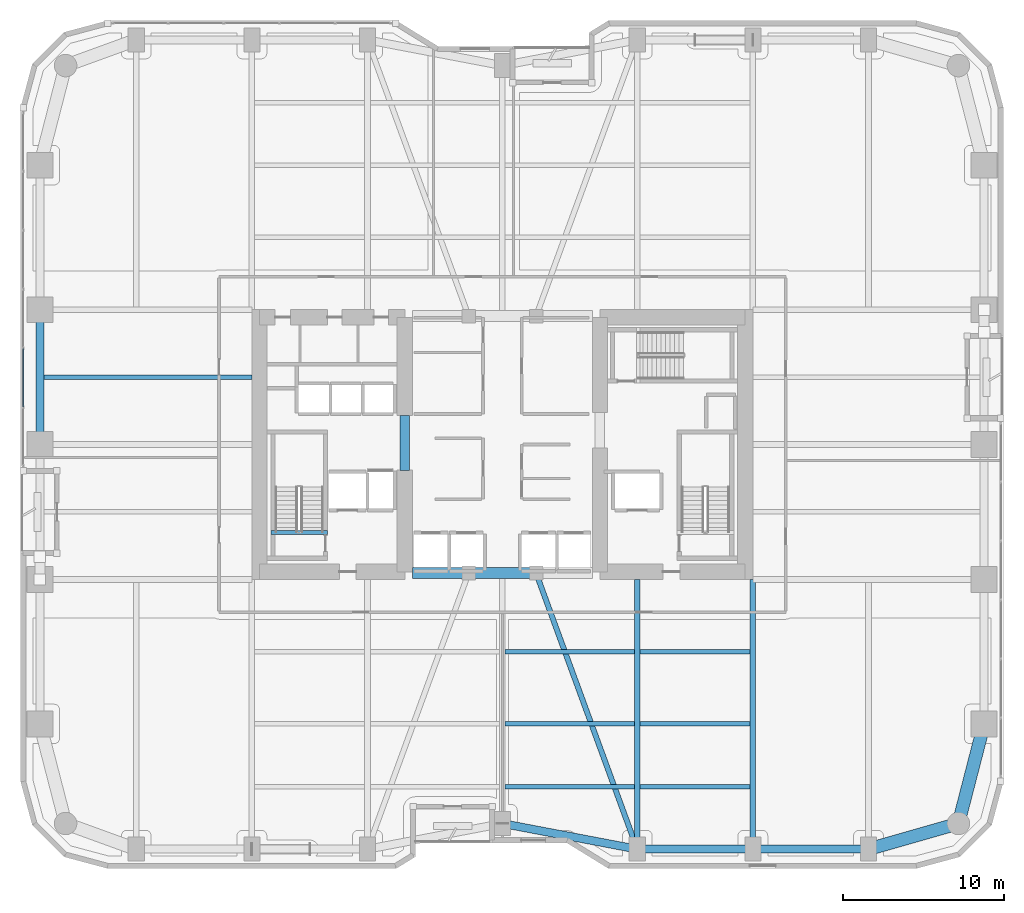
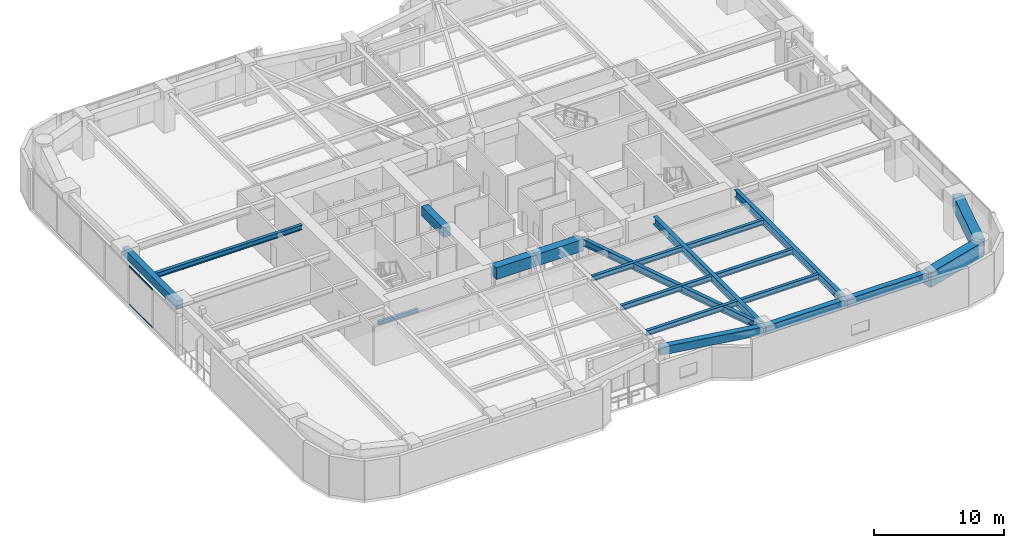
# One storey, part 3 of 29: 20 beams, 2 members, 1 element without a shape of its own.
"""IFC4 building model written with IfcOpenShell, lengths in metres."""

import ifcopenshell
import ifcopenshell.guid

model = None  # the IFC model being written
_history = None  # IfcOwnerHistory: only IFC2X3 demands one
_inside = {}  # id of a spatial element -> (the spatial element, [elements in it])
_under = {}  # id of a project, library or spatial element -> (it, [spatial elements below it])
_declared = {}  # id of a project -> (the project, [libraries it declares])
_typed = {}  # id of a type object -> (the type object, [elements of that type])
_made_of = {}  # id of a material, layer set ... -> (it, [elements and type objects made of it])


def new_model(schema):
    """Start an empty IFC model of exactly this schema.

    Asked for "IFC4X3", IfcOpenShell would pick the latest addendum, in which some entities
    have other attributes; the version numbers below select the first issue.
    IFC2X3 requires an IfcOwnerHistory on every rooted entity: one is made here for all.
    """
    global model, _history
    if schema == "IFC4X3":
        model = ifcopenshell.file(schema_version=(4, 3, 0, 0))
    else:
        model = ifcopenshell.file(schema=schema)
    _inside.clear()
    _under.clear()
    _declared.clear()
    _typed.clear()
    _made_of.clear()
    _history = None
    if model.schema == "IFC2X3":
        org = make("IfcOrganization", Name="unknown")
        user = make(
            "IfcPersonAndOrganization",
            ThePerson=make("IfcPerson", FamilyName="unknown"),
            TheOrganization=org,
        )
        app = make(
            "IfcApplication",
            ApplicationDeveloper=org,
            Version="unknown",
            ApplicationFullName="unknown",
            ApplicationIdentifier="unknown",
        )
        _history = make(
            "IfcOwnerHistory",
            OwningUser=user,
            OwningApplication=app,
            ChangeAction="ADDED",
            CreationDate=0,
        )
    return model


def make(cls, **values):
    """One entity of the class cls with the attributes given. An attribute that is None is left unset."""
    return model.create_entity(
        cls, **{name: value for name, value in values.items() if value is not None}
    )


def rooted(cls, **values):
    """An entity with a GlobalId (a new one), such as an element, a storey or a relation."""
    return make(cls, GlobalId=ifcopenshell.guid.new(), OwnerHistory=_history, **values)


def si_unit(unit_type, name, prefix=None):
    """IfcSIUnit, for example si_unit("LENGTHUNIT", "METRE", prefix="MILLI")."""
    return make("IfcSIUnit", UnitType=unit_type, Prefix=prefix, Name=name)


def assignment(units):
    """IfcUnitAssignment: the units of a project."""
    return None if units is None else make("IfcUnitAssignment", Units=units)


def point(xyz):
    """IfcCartesianPoint."""
    return None if xyz is None else make("IfcCartesianPoint", Coordinates=xyz)


def direction(xyz):
    """IfcDirection."""
    return None if xyz is None else make("IfcDirection", DirectionRatios=xyz)


def frame(location, z_axis=None, x_axis=None):
    """IfcAxis2Placement3D, a coordinate frame: its origin and axes. An axis left out is left unset."""
    return make(
        "IfcAxis2Placement3D",
        Location=point(location),
        Axis=direction(z_axis),
        RefDirection=direction(x_axis),
    )


def frame_2d(location, x_axis=None):
    """IfcAxis2Placement2D, a coordinate frame in the plane: its origin and x axis."""
    return make(
        "IfcAxis2Placement2D", Location=point(location), RefDirection=direction(x_axis)
    )


def origin():
    """The frame at (0, 0, 0) with its axes left unset."""
    return frame((0.0, 0.0, 0.0))


def origin_2d():
    """The frame at (0, 0) in the plane with its x axis left unset."""
    return frame_2d((0.0, 0.0))


def place(relative_to, where):
    """IfcLocalPlacement: puts the frame where relative to a parent placement (None: the world)."""
    return make(
        "IfcLocalPlacement", PlacementRelTo=relative_to, RelativePlacement=where
    )


def context(
    kind, dimensions, precision=None, world=None, true_north=None, identifier=None
):
    """IfcGeometricRepresentationContext, for example the 3D "Model" context."""
    return make(
        "IfcGeometricRepresentationContext",
        ContextIdentifier=identifier,
        ContextType=kind,
        CoordinateSpaceDimension=dimensions,
        Precision=precision,
        WorldCoordinateSystem=world,
        TrueNorth=true_north,
    )


def subcontext(parent, identifier, kind, view, scale=None):
    """IfcGeometricRepresentationSubContext, for example "Body" below "Model"."""
    return make(
        "IfcGeometricRepresentationSubContext",
        ContextIdentifier=identifier,
        ContextType=kind,
        ParentContext=parent,
        TargetScale=scale,
        TargetView=view,
    )


def project(units=None, contexts=None):
    """IfcProject with its units and contexts."""
    return rooted(
        "IfcProject",
        Name="project",
        RepresentationContexts=contexts,
        UnitsInContext=assignment(units),
    )


def spatial(cls, under=None, at=None, **own):
    """A site, building, storey or space (cls), placed at a placement, below another one or the project."""
    s = rooted(cls, ObjectPlacement=at, **own)
    if under is not None:
        _under.setdefault(under.id(), (under, []))[1].append(s)
    return s


def profile(cls, at=None, kind="AREA", **sizes):
    """A parametric profile (cls). Its sizes go by their IFC names, for example OverallWidth=200.0."""
    return make(cls, ProfileType=kind, Position=at, **sizes)


def rectangle(**sizes):
    """IfcRectangleProfileDef."""
    return profile("IfcRectangleProfileDef", **sizes)


def hollow_rectangle(**sizes):
    """IfcRectangleHollowProfileDef."""
    return profile("IfcRectangleHollowProfileDef", **sizes)


def i_section(**sizes):
    """IfcIShapeProfileDef."""
    return profile("IfcIShapeProfileDef", **sizes)


def extrude(swept, where, along, depth):
    """IfcExtrudedAreaSolid: the profile swept, set in the frame where, extruded along a direction by depth."""
    return make(
        "IfcExtrudedAreaSolid",
        SweptArea=swept,
        Position=where,
        ExtrudedDirection=direction(along),
        Depth=depth,
    )


def shape(context_of_items, identifier, shape_type, items):
    """IfcShapeRepresentation: the items that make up one representation, for example the "Body"."""
    return make(
        "IfcShapeRepresentation",
        ContextOfItems=context_of_items,
        RepresentationIdentifier=identifier,
        RepresentationType=shape_type,
        Items=items,
    )


def material(Name=None, Category=None):
    """IfcMaterial."""
    return make("IfcMaterial", Name=Name, Category=Category)


def layer(
    of_material, thickness, ventilated=None, Name=None, Category=None, Priority=None
):
    """IfcMaterialLayer: one layer of a wall or slab, of a material (None: an air gap)."""
    return make(
        "IfcMaterialLayer",
        Material=of_material,
        LayerThickness=thickness,
        IsVentilated=ventilated,
        Name=Name,
        Category=Category,
        Priority=Priority,
    )


def layer_set(layers, Name=None):
    """IfcMaterialLayerSet."""
    return make("IfcMaterialLayerSet", MaterialLayers=layers, LayerSetName=Name)


def material_profile(
    of_material, cross_section, Name=None, Category=None, Priority=None
):
    """IfcMaterialProfile: a cross section and its material."""
    return make(
        "IfcMaterialProfile",
        Name=Name,
        Material=of_material,
        Profile=cross_section,
        Priority=Priority,
        Category=Category,
    )


def profile_set(profiles, Name=None, composite=None):
    """IfcMaterialProfileSet."""
    return make(
        "IfcMaterialProfileSet",
        Name=Name,
        MaterialProfiles=profiles,
        CompositeProfile=composite,
    )


def made_of(thing, what):
    """Note that an element or type object is made of a material, layer set ...; save() writes the relation."""
    if what is not None:
        _made_of.setdefault(what.id(), (what, []))[1].append(thing)
    return thing


def type_object(cls, material=None, **own):
    """A type object (cls), such as IfcWallType, which elements share."""
    return made_of(rooted(cls, **own), material)


def element(
    cls,
    number,
    at=None,
    inside=None,
    cuts=None,
    type_object=None,
    material=None,
    context=None,
    identifier="Body",
    shape_type=None,
    held_by="IfcProductDefinitionShape",
    body=None,
    shapes=None,
    **own,
):
    """One element of the class cls, such as IfcWall. Its Tag is "e" and its number.

    at: its placement. inside: the storey or other place that contains it. cuts: it is an
    opening in that element (IfcRelVoidsElement). A single representation is given by context,
    identifier, shape_type and body (its items); several are given by shapes. held_by: the class
    of the entity that holds the representations. save() writes the other relations.
    """
    e = rooted(cls, Tag="e%d" % number, ObjectPlacement=at, **own)
    if body is not None:
        shapes = [shape(context, identifier, shape_type, body)]
    if shapes is not None:
        e.Representation = make(held_by, Representations=shapes)
    if inside is not None:
        _inside.setdefault(inside.id(), (inside, []))[1].append(e)
    if cuts is not None:
        rooted(
            "IfcRelVoidsElement", RelatingBuildingElement=cuts, RelatedOpeningElement=e
        )
    if type_object is not None:
        _typed.setdefault(type_object.id(), (type_object, []))[1].append(e)
    return made_of(e, material)


def aggregate(whole, parts):
    """IfcRelAggregates: a whole, such as a stair, and the parts it consists of."""
    return rooted("IfcRelAggregates", RelatingObject=whole, RelatedObjects=parts)


def save(model, path):
    """Write the relations noted so far, then the file.

    IfcRelAggregates (storeys below a building ...), IfcRelContainedInSpatialStructure (elements
    in a storey), IfcRelDefinesByType, IfcRelAssociatesMaterial and IfcRelDeclares: one each for
    every whole, place, type object, material and project.
    """
    for whole, parts in _under.values():
        aggregate(whole, parts)
    for where, things in _inside.values():
        rooted(
            "IfcRelContainedInSpatialStructure",
            RelatedElements=things,
            RelatingStructure=where,
        )
    for kind, things in _typed.values():
        rooted("IfcRelDefinesByType", RelatedObjects=things, RelatingType=kind)
    for what, things in _made_of.values():
        rooted("IfcRelAssociatesMaterial", RelatedObjects=things, RelatingMaterial=what)
    for by, libraries in _declared.values():
        rooted("IfcRelDeclares", RelatingContext=by, RelatedDefinitions=libraries)
    model.write(path)


model = new_model("IFC4")

# Units and contexts
model_context = context("Model", 3, precision=1e-05, world=origin(), true_north=direction((0.0, 1.0)))
body_context = subcontext(model_context, "Body", "Model", "MODEL_VIEW")
ifc_project = project(units=[si_unit("LENGTHUNIT", "METRE"), si_unit("AREAUNIT", "SQUARE_METRE"), si_unit("VOLUMEUNIT", "CUBIC_METRE"), si_unit("PLANEANGLEUNIT", "RADIAN"), si_unit("MASSUNIT", "GRAM", prefix="KILO")], contexts=[model_context])

# Site, building, storey
site_placement = place(None, origin())
site = spatial("IfcSite", under=ifc_project, at=site_placement, CompositionType="ELEMENT")
building_placement = place(site_placement, origin())
building = spatial("IfcBuilding", under=site, at=building_placement, Name="Kiyonajd Concourse Tower", CompositionType="ELEMENT")
storey_placement = place(building_placement, frame((0.0, 0.0, 29.39990234375)))
storey = spatial("IfcBuildingStorey", under=building, at=storey_placement, Name="L08", CompositionType="ELEMENT", Elevation=29.39990234375)

# Beams
ifc_material_1 = material(Name="Concrete C70/85", Category="concrete")
ifc_material_profile_1 = material_profile(ifc_material_1, rectangle(XDim=0.699951171875, YDim=1.10009765625, at=origin_2d()), Name="RCBM-700x1100")
ifc_profile_set_1 = profile_set([ifc_material_profile_1], Name="Concrete C70/85")
beam_type_1 = type_object("IfcBeamType", Name="BM-COUP-1100", PredefinedType="LINTEL", material=ifc_profile_set_1)
beam_1_placement = place(storey_placement, frame((42.39990234375, 28.0, 3.090087890625), z_axis=(1.0, 0.0, 0.0), x_axis=(0.0, 1.0, 0.0)))
element("IfcBeam", 1, at=beam_1_placement, inside=storey, type_object=beam_type_1, Name="L08 Core Coupling Beam S1", PredefinedType="LINTEL", context=body_context, shape_type="SweptSolid", body=[
    extrude(rectangle(XDim=0.699951171875, YDim=1.10009765625, at=origin_2d()), origin(), (0.0, 0.0, 1.0), 3.5),
])
beam_2_placement = place(storey_placement, frame((45.89990234375, 28.0, 3.090087890625), z_axis=(1.0, 0.0, 0.0), x_axis=(0.0, 1.0, 0.0)))
element("IfcBeam", 2, at=beam_2_placement, inside=storey, type_object=beam_type_1, Name="L08 Core Coupling Beam S2", PredefinedType="LINTEL", context=body_context, shape_type="SweptSolid", body=[
    extrude(rectangle(XDim=0.699951171875, YDim=1.10009765625, at=origin_2d()), origin(), (0.0, 0.0, 1.0), 4.2001953125),
])
ifc_material_2 = material(Name="Concrete C60/75", Category="concrete")
ifc_material_profile_2 = material_profile(ifc_material_2, rectangle(XDim=0.60009765625, YDim=0.89990234375, at=origin_2d()), Name="RCBM-600x900")
ifc_profile_set_2 = profile_set([ifc_material_profile_2], Name="Concrete C60/75")
beam_type_2 = type_object("IfcBeamType", Name="BM-COUP-900", PredefinedType="LINTEL", material=ifc_profile_set_2)
beam_3_placement = place(storey_placement, frame((41.925048828125, 34.39990234375, 3.090087890625), z_axis=(0.0, 1.0, 0.0), x_axis=(-1.0, 0.0, 0.0)))
element("IfcBeam", 3, at=beam_3_placement, inside=storey, type_object=beam_type_2, Name="L08 West Core Throat Coupling Lintel", PredefinedType="LINTEL", context=body_context, shape_type="SweptSolid", body=[
    extrude(rectangle(XDim=0.60009765625, YDim=0.89990234375, at=origin_2d()), origin(), (0.0, 0.0, 1.0), 3.400146484375),
])
ifc_material_3 = material(Name="Steel ASTM A992 Grade 50", Category="steel")
ifc_material_profile_3 = material_profile(ifc_material_3, i_section(OverallWidth=0.280029296875, OverallDepth=0.462890625, WebThickness=0.0107421875, FlangeThickness=0.017333984375, at=origin_2d()), Name="W460X113")
ifc_profile_set_3 = profile_set([ifc_material_profile_3], Name="Steel ASTM A992 Grade 50")
beam_type_3 = type_object("IfcBeamType", Name="BM-JST-460A", PredefinedType="JOIST", material=ifc_profile_set_3)
beam_4_placement = place(storey_placement, frame((48.177490234375, 14.699951171875, 3.40869140625), z_axis=(1.0, 0.0, 0.0), x_axis=(0.0, 1.0, 0.0)))
element("IfcBeam", 4, at=beam_4_placement, inside=storey, type_object=beam_type_3, Name="L08 Secondary Floor Joist", PredefinedType="JOIST", context=body_context, shape_type="SweptSolid", body=[
    extrude(i_section(OverallWidth=0.280029296875, OverallDepth=0.462890625, WebThickness=0.0107421875, FlangeThickness=0.017333984375, at=origin_2d()), origin(), (0.0, 0.0, 1.0), 8.044921875),
])
beam_5_placement = place(storey_placement, frame((56.577392578125, 14.699951171875, 3.40869140625), z_axis=(1.0, 0.0, 0.0), x_axis=(0.0, 1.0, 0.0)))
element("IfcBeam", 5, at=beam_5_placement, inside=storey, type_object=beam_type_3, Name="L08 Secondary Floor Joist", PredefinedType="JOIST", context=body_context, shape_type="SweptSolid", body=[
    extrude(i_section(OverallWidth=0.280029296875, OverallDepth=0.462890625, WebThickness=0.0107421875, FlangeThickness=0.017333984375, at=origin_2d()), origin(), (0.0, 0.0, 1.0), 6.84521484375),
])
beam_6_placement = place(storey_placement, frame((48.177490234375, 18.60009765625, 3.40869140625), z_axis=(1.0, 0.0, 0.0), x_axis=(0.0, 1.0, 0.0)))
element("IfcBeam", 6, at=beam_6_placement, inside=storey, type_object=beam_type_3, Name="L08 Secondary Floor Joist", PredefinedType="JOIST", context=body_context, shape_type="SweptSolid", body=[
    extrude(i_section(OverallWidth=0.280029296875, OverallDepth=0.462890625, WebThickness=0.0107421875, FlangeThickness=0.017333984375, at=origin_2d()), origin(), (0.0, 0.0, 1.0), 8.044921875),
])
beam_7_placement = place(storey_placement, frame((56.577392578125, 18.60009765625, 3.40869140625), z_axis=(1.0, 0.0, 0.0), x_axis=(0.0, 1.0, 0.0)))
element("IfcBeam", 7, at=beam_7_placement, inside=storey, type_object=beam_type_3, Name="L08 Secondary Floor Joist", PredefinedType="JOIST", context=body_context, shape_type="SweptSolid", body=[
    extrude(i_section(OverallWidth=0.280029296875, OverallDepth=0.462890625, WebThickness=0.0107421875, FlangeThickness=0.017333984375, at=origin_2d()), origin(), (0.0, 0.0, 1.0), 6.84521484375),
])
beam_8_placement = place(storey_placement, frame((48.177490234375, 23.10009765625, 3.40869140625), z_axis=(1.0, 0.0, 0.0), x_axis=(0.0, 1.0, 0.0)))
element("IfcBeam", 8, at=beam_8_placement, inside=storey, type_object=beam_type_3, Name="L08 Secondary Floor Joist", PredefinedType="JOIST", context=body_context, shape_type="SweptSolid", body=[
    extrude(i_section(OverallWidth=0.280029296875, OverallDepth=0.462890625, WebThickness=0.0107421875, FlangeThickness=0.017333984375, at=origin_2d()), origin(), (0.0, 0.0, 1.0), 8.044921875),
])
beam_9_placement = place(storey_placement, frame((56.577392578125, 23.10009765625, 3.40869140625), z_axis=(1.0, 0.0, 0.0), x_axis=(0.0, 1.0, 0.0)))
element("IfcBeam", 9, at=beam_9_placement, inside=storey, type_object=beam_type_3, Name="L08 Secondary Floor Joist", PredefinedType="JOIST", context=body_context, shape_type="SweptSolid", body=[
    extrude(i_section(OverallWidth=0.280029296875, OverallDepth=0.462890625, WebThickness=0.0107421875, FlangeThickness=0.017333984375, at=origin_2d()), origin(), (0.0, 0.0, 1.0), 6.84521484375),
])
beam_10_placement = place(storey_placement, frame((19.449951171875, 40.199951171875, 3.40869140625), z_axis=(1.0, 0.0, 0.0), x_axis=(0.0, 1.0, 0.0)))
element("IfcBeam", 10, at=beam_10_placement, inside=storey, type_object=beam_type_3, Name="L08 West Secondary Floor Joist", PredefinedType="JOIST", context=body_context, shape_type="SweptSolid", body=[
    extrude(i_section(OverallWidth=0.280029296875, OverallDepth=0.462890625, WebThickness=0.0107421875, FlangeThickness=0.017333984375, at=origin_2d()), origin(), (0.0, 0.0, 1.0), 12.949951171875),
])
ifc_material_4 = material(Name="Concrete C50/60", Category="concrete")
ifc_material_profile_4 = material_profile(ifc_material_4, rectangle(XDim=0.239990234375, YDim=0.320068359375, at=origin_2d()), Name="RCBM-240x320")
ifc_profile_set_4 = profile_set([ifc_material_profile_4], Name="Concrete C50/60")
beam_type_4 = type_object("IfcBeamType", Name="BM-LNT-250", PredefinedType="LINTEL", material=ifc_profile_set_4)
beam_11_placement = place(storey_placement, frame((33.590087890625, 30.530029296875, -0.159912109375), z_axis=(1.0, 0.0, 0.0), x_axis=(0.0, 1.0, 0.0)))
element("IfcBeam", 11, at=beam_11_placement, inside=storey, type_object=beam_type_4, Name="L08 Stair ST1 Threshold Support Beam", PredefinedType="LINTEL", context=body_context, shape_type="SweptSolid", body=[
    extrude(rectangle(XDim=0.239990234375, YDim=0.320068359375, at=origin_2d()), origin(), (0.0, 0.0, 1.0), 3.52001953125),
])
ifc_material_5 = material(Name="Precast concrete C50/60", Category="concrete")
ifc_material_profile_5 = material_profile(ifc_material_5, rectangle(XDim=0.5, YDim=0.75, at=origin_2d()), Name="RCBM-500x750")
ifc_profile_set_5 = profile_set([ifc_material_profile_5], Name="Precast concrete C50/60")
beam_type_5 = type_object("IfcBeamType", Name="BM-SPAN-RC", PredefinedType="SPANDREL", material=ifc_profile_set_5)
beam_12_placement = place(storey_placement, frame((48.0, 12.39990234375, 3.26513671875), z_axis=(0.982341315253, -0.187097675953, 0.0), x_axis=(0.187097675953, 0.982341315253, 0.0)))
element("IfcBeam", 12, at=beam_12_placement, inside=storey, type_object=beam_type_5, Name="L08 Perimeter Bundled Tube Spandrel", PredefinedType="SPANDREL", context=body_context, shape_type="SweptSolid", body=[
    extrude(rectangle(XDim=0.5, YDim=0.75, at=origin_2d()), origin(), (0.0, 0.0, 1.0), 8.55078125),
])
beam_13_placement = place(storey_placement, frame((56.39990234375, 10.800048828125, 3.26513671875), z_axis=(1.0, 0.0, 0.0), x_axis=(0.0, 1.0, 0.0)))
element("IfcBeam", 13, at=beam_13_placement, inside=storey, type_object=beam_type_5, Name="L08 Perimeter Bundled Tube Spandrel", PredefinedType="SPANDREL", context=body_context, shape_type="SweptSolid", body=[
    extrude(rectangle(XDim=0.5, YDim=0.75, at=origin_2d()), origin(), (0.0, 0.0, 1.0), 7.2001953125),
])
beam_14_placement = place(storey_placement, frame((63.60009765625, 10.800048828125, 3.26513671875), z_axis=(1.0, 0.0, 0.0), x_axis=(0.0, 1.0, 0.0)))
element("IfcBeam", 14, at=beam_14_placement, inside=storey, type_object=beam_type_5, Name="L08 Perimeter Bundled Tube Spandrel", PredefinedType="SPANDREL", context=body_context, shape_type="SweptSolid", body=[
    extrude(rectangle(XDim=0.5, YDim=0.75, at=origin_2d()), origin(), (0.0, 0.0, 1.0), 7.199951171875),
])
beam_15_placement = place(storey_placement, frame((19.199951171875, 44.39990234375, 3.26513671875), z_axis=(0.0, -1.0, 0.0), x_axis=(1.0, 0.0, 0.0)))
element("IfcBeam", 15, at=beam_15_placement, inside=storey, type_object=beam_type_5, Name="L08 Perimeter Bundled Tube Spandrel", PredefinedType="SPANDREL", context=body_context, shape_type="SweptSolid", body=[
    extrude(rectangle(XDim=0.5, YDim=0.75, at=origin_2d()), origin(), (0.0, 0.0, 1.0), 8.39990234375),
])
ifc_material_profile_6 = material_profile(ifc_material_3, i_section(OverallWidth=0.326904296875, OverallDepth=0.6220703125, WebThickness=0.015380859375, FlangeThickness=0.0244140625, at=origin_2d()), Name="W610X195")
ifc_profile_set_6 = profile_set([ifc_material_profile_6], Name="Steel ASTM A992 Grade 50")
beam_type_6 = type_object("IfcBeamType", Name="BM-TWR-610A", PredefinedType="BEAM", material=ifc_profile_set_6)
beam_16_placement = place(storey_placement, frame((50.10009765625, 28.0, 3.3291015625), z_axis=(0.343925269715, -0.938997022813, 0.0), x_axis=(0.938997022813, 0.343925269715, 0.0)))
element("IfcBeam", 16, at=beam_16_placement, inside=storey, type_object=beam_type_6, Name="L08 Core Tie Girder", PredefinedType="BEAM", context=body_context, shape_type="SweptSolid", body=[
    extrude(i_section(OverallWidth=0.326904296875, OverallDepth=0.6220703125, WebThickness=0.015380859375, FlangeThickness=0.0244140625, at=origin_2d()), origin(), (0.0, 0.0, 1.0), 18.3173828125),
])
ifc_material_profile_7 = material_profile(ifc_material_3, i_section(OverallWidth=0.35498046875, OverallDepth=0.695068359375, WebThickness=0.015380859375, FlangeThickness=0.02490234375, at=origin_2d()), Name="W690X217")
ifc_profile_set_7 = profile_set([ifc_material_profile_7], Name="Steel ASTM A992 Grade 50")
beam_type_7 = type_object("IfcBeamType", Name="BM-TWR-690", PredefinedType="BEAM", material=ifc_profile_set_7)
for number, where, z_axis, x_axis, name in (
    (17, (56.39990234375, 10.800048828125, 3.29248046875), (0.0, 1.0, 0.0), (-1.0, 0.0, 0.0), "L08 South Lease Girder"),
    (18, (63.60009765625, 10.800048828125, 3.29248046875), (0.0, 1.0, 0.0), (-1.0, 0.0, 0.0), "L08 South Lease Girder"),
):
    element("IfcBeam", number, at=place(storey_placement, frame(where, z_axis=z_axis, x_axis=x_axis)), inside=storey, type_object=beam_type_7, Name=name, PredefinedType="BEAM", context=body_context, shape_type="SweptSolid", body=[
        extrude(i_section(OverallWidth=0.35498046875, OverallDepth=0.695068359375, WebThickness=0.015380859375, FlangeThickness=0.02490234375, at=origin_2d()), origin(), (0.0, 0.0, 1.0), 16.800048828125),
    ])
ifc_material_profile_8 = material_profile(ifc_material_2, rectangle(XDim=0.800048828125, YDim=1.39990234375, at=origin_2d()), Name="RCBM-800x1400")
ifc_profile_set_8 = profile_set([ifc_material_profile_8], Name="Concrete C60/75")
beam_type_8 = type_object("IfcBeamType", Name="BM-XFER-RC", PredefinedType="BEAM", material=ifc_profile_set_8)
beam_17_placement = place(storey_placement, frame((70.800048828125, 10.800048828125, 2.940185546875), z_axis=(0.961528693205, 0.274704517878, 0.0), x_axis=(-0.274704517878, 0.961528693205, 0.0)))
element("IfcBeam", 19, at=beam_17_placement, inside=storey, type_object=beam_type_8, Name="L08 Perimeter Bundled Tube Spandrel", PredefinedType="BEAM", context=body_context, shape_type="SweptSolid", body=[
    extrude(rectangle(XDim=0.800048828125, YDim=1.39990234375, at=origin_2d()), origin(), (0.0, 0.0, 1.0), 5.823974609375),
])
beam_18_placement = place(storey_placement, frame((76.39990234375, 12.39990234375, 2.940185546875), z_axis=(0.249884937687, 0.968275538221, 0.0), x_axis=(-0.968275538221, 0.249884937687, 0.0)))
element("IfcBeam", 20, at=beam_18_placement, inside=storey, type_object=beam_type_8, Name="L08 Perimeter Bundled Tube Spandrel", PredefinedType="BEAM", context=body_context, shape_type="SweptSolid", body=[
    extrude(rectangle(XDim=0.800048828125, YDim=1.39990234375, at=origin_2d()), origin(), (0.0, 0.0, 1.0), 6.4033203125),
])

# Curtain wall, members
ifc_material_6 = material(Name="Thermally Broken Anodised Aluminium", Category="aluminium")
ifc_layer = layer(ifc_material_6, 0.179931640625)
ifc_layer_set = layer_set([ifc_layer], Name="Thermally Broken Anodised Aluminium")
curtain_wall_type = type_object("IfcCurtainWallType", Name="CW-SYS-02", PredefinedType="NOTDEFINED", material=ifc_layer_set)
curtain_wall_placement = place(storey_placement, origin())
curtain_wall = element("IfcCurtainWall", 21, at=curtain_wall_placement, inside=storey, type_object=curtain_wall_type, Name="L08 Unitised Curtain Wall CW2", PredefinedType="NOTDEFINED")
ifc_material_profile_9 = material_profile(ifc_material_6, hollow_rectangle(XDim=0.06494140625, YDim=0.139892578125, WallThickness=0.00390625, at=origin_2d()), Name="TRAN-65x140")
ifc_profile_set_9 = profile_set([ifc_material_profile_9], Name="Thermally Broken Anodised Aluminium")
member_type = type_object("IfcMemberType", Name="MB-CW-TRAN1", PredefinedType="USERDEFINED", material=ifc_profile_set_9)
member_1_placement = place(storey_placement, frame((18.159912109375, 38.355712890625, 0.03271484375), z_axis=(0.0, 1.0, 0.0), x_axis=(-1.0, 0.0, 0.0)))
member_1 = element("IfcMember", 22, at=member_1_placement, type_object=member_type, Name="CW2 transom 2.1", ObjectType="TRANSOM", PredefinedType="USERDEFINED", context=body_context, shape_type="SweptSolid", body=[
    extrude(hollow_rectangle(XDim=0.06494140625, YDim=0.139892578125, WallThickness=0.00390625, at=origin_2d()), origin(), (0.0, 0.0, 1.0), 3.608154296875),
])
member_2_placement = place(storey_placement, frame((18.159912109375, 38.355712890625, 3.607666015625), z_axis=(0.0, 1.0, 0.0), x_axis=(-1.0, 0.0, 0.0)))
member_2 = element("IfcMember", 23, at=member_2_placement, type_object=member_type, Name="CW2 transom 2.2", ObjectType="TRANSOM", PredefinedType="USERDEFINED", context=body_context, shape_type="SweptSolid", body=[
    extrude(hollow_rectangle(XDim=0.06494140625, YDim=0.139892578125, WallThickness=0.00390625, at=origin_2d()), origin(), (0.0, 0.0, 1.0), 3.608154296875),
])
aggregate(curtain_wall, [member_1, member_2])

save(model, "model.ifc")
